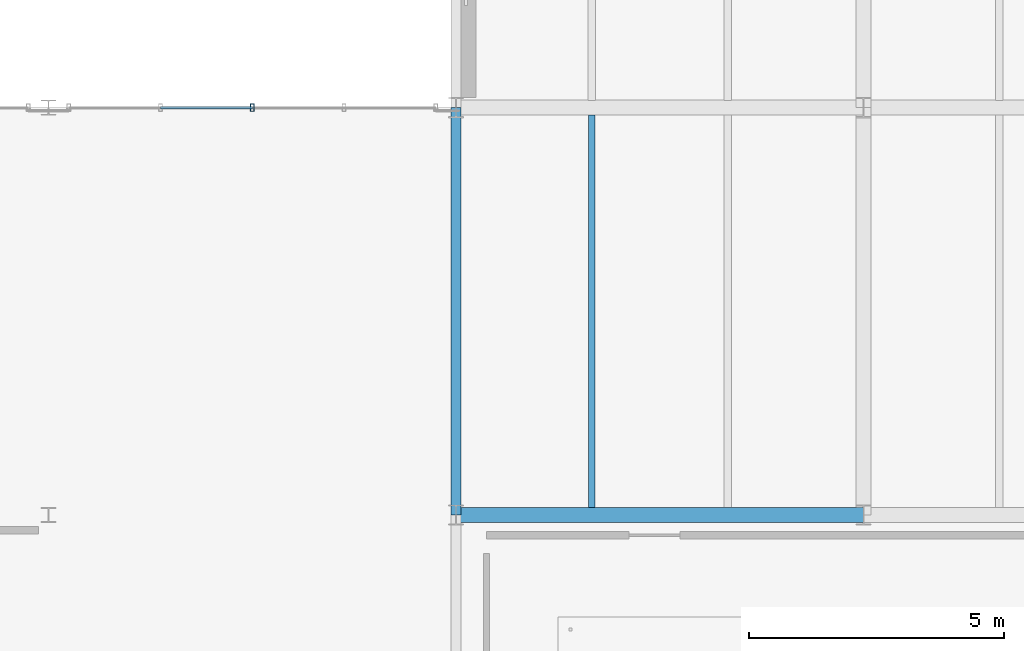
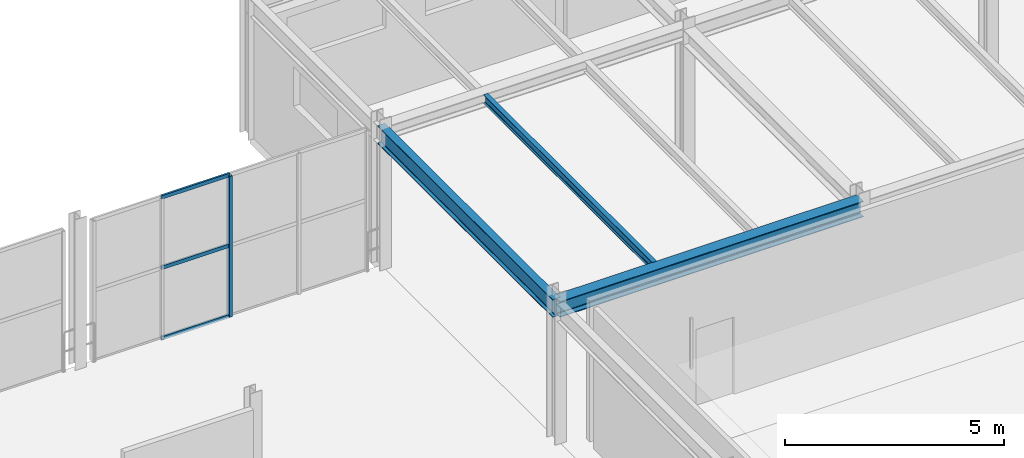
# One storey, part 22 of 67: 4 members, 3 beams, 1 element without a shape of its own.
"""IFC4 building model written with IfcOpenShell, lengths in metres."""

from ifc_helpers import new_model, si_unit, direction, frame, origin, origin_2d, place, context, subcontext, project, spatial, hollow_rectangle, i_section, extrude, material, material_profile, profile_set, type_object, element, aggregate, save


model = new_model("IFC4")

# Units and contexts
model_context = context("Model", 3, precision=1e-05, world=origin(), true_north=direction((0.0, 1.0)))
body_context = subcontext(model_context, "Body", "Model", "MODEL_VIEW")
ifc_project = project(units=[si_unit("LENGTHUNIT", "METRE"), si_unit("AREAUNIT", "SQUARE_METRE"), si_unit("VOLUMEUNIT", "CUBIC_METRE"), si_unit("PLANEANGLEUNIT", "RADIAN"), si_unit("MASSUNIT", "GRAM", prefix="KILO")], contexts=[model_context])

# Site, building, storey
site_placement = place(None, origin())
site = spatial("IfcSite", under=ifc_project, at=site_placement, CompositionType="ELEMENT")
building_placement = place(site_placement, origin())
building = spatial("IfcBuilding", under=site, at=building_placement, Name="Sundkrona Museum", CompositionType="ELEMENT")
storey_placement = place(building_placement, frame((0.0, 0.0, 21.800048828125)))
storey = spatial("IfcBuildingStorey", under=building, at=storey_placement, Name="L04", CompositionType="ELEMENT", Elevation=21.800048828125)

# Beams
ifc_material_1 = material(Name="Steel S355J2", Category="steel")
ifc_material_profile_1 = material_profile(ifc_material_1, i_section(OverallWidth=0.300048828125, OverallDepth=0.43994140625, WebThickness=0.011474609375, FlangeThickness=0.02099609375, FilletRadius=0.027099609375, at=origin_2d()), Name="HEA 450")
ifc_profile_set_1 = profile_set([ifc_material_profile_1], Name="Steel S355J2")
beam_type_1 = type_object("IfcBeamType", Name="B-HEA450", PredefinedType="BEAM", material=ifc_profile_set_1)
beam_1_placement = place(storey_placement, frame((120.0, 32.0, 3.699951171875), z_axis=(1.0, 0.0, 0.0), x_axis=(0.0, 1.0, 0.0)))
element("IfcBeam", 1, at=beam_1_placement, inside=storey, type_object=beam_type_1, Name="L04 Girder X-1722", PredefinedType="BEAM", context=body_context, shape_type="SweptSolid", body=[
    extrude(i_section(OverallWidth=0.300048828125, OverallDepth=0.43994140625, WebThickness=0.011474609375, FlangeThickness=0.02099609375, FilletRadius=0.027099609375, at=origin_2d()), origin(), (0.0, 0.0, 1.0), 8.0),
])
ifc_material_profile_2 = material_profile(ifc_material_1, i_section(OverallWidth=0.1201171875, OverallDepth=0.239990234375, WebThickness=0.006103515625, FlangeThickness=0.009765625, FilletRadius=0.014892578125, at=origin_2d()), Name="IPE 240")
ifc_profile_set_2 = profile_set([ifc_material_profile_2], Name="Steel S355J2")
beam_type_2 = type_object("IfcBeamType", Name="J-IPE240", PredefinedType="JOIST", material=ifc_profile_set_2)
beam_2_placement = place(storey_placement, frame((122.666748046875, 32.14404296875, 3.800048828125), z_axis=(0.0, 1.0, 0.0), x_axis=(-1.0, 0.0, 0.0)))
element("IfcBeam", 2, at=beam_2_placement, inside=storey, type_object=beam_type_2, Name="L04 Composite Joist 1185", PredefinedType="JOIST", context=body_context, shape_type="SweptSolid", body=[
    extrude(i_section(OverallWidth=0.1201171875, OverallDepth=0.239990234375, WebThickness=0.006103515625, FlangeThickness=0.009765625, FilletRadius=0.014892578125, at=origin_2d()), origin(), (0.0, 0.0, 1.0), 7.7119140625),
])

# Curtain wall, member
ifc_material_2 = material(Name="Unitised Aluminium-Steel and Ceramic-Clad Curtain Walling", Category="steel")
curtain_wall_type = type_object("IfcCurtainWallType", Name="CW-AT-72x38", PredefinedType="NOTDEFINED", material=ifc_material_2)
curtain_wall_placement = place(storey_placement, origin())
curtain_wall = element("IfcCurtainWall", 3, at=curtain_wall_placement, inside=storey, type_object=curtain_wall_type, Name="L04 Curtain Wall CW-L04-091", PredefinedType="NOTDEFINED")
ifc_material_3 = material(Name="Aluminium EN AW-6060 T66", Category="aluminium")
ifc_material_profile_3 = material_profile(ifc_material_3, hollow_rectangle(XDim=0.074951171875, YDim=0.14990234375, WallThickness=0.00634765625, at=origin_2d()), Name="RHS 150x75x6.3")
ifc_profile_set_3 = profile_set([ifc_material_profile_3], Name="Aluminium EN AW-6060 T66")
member_type_1 = type_object("IfcMemberType", Name="ML-150", PredefinedType="MULLION", material=ifc_profile_set_3)
member_1_placement = place(storey_placement, frame((116.0, 40.0, -0.004150390625), z_axis=(0.0, 0.0, 1.0), x_axis=(1.0, 0.0, 0.0)))
member_1 = element("IfcMember", 4, at=member_1_placement, type_object=member_type_1, Name="CW-L04-091 Mullion 03", PredefinedType="MULLION", context=body_context, shape_type="SweptSolid", body=[
    extrude(hollow_rectangle(XDim=0.074951171875, YDim=0.14990234375, WallThickness=0.00634765625, at=origin_2d()), origin(), (0.0, 0.0, 1.0), 3.92822265625),
])

# Beam
ifc_material_profile_4 = material_profile(ifc_material_1, i_section(OverallWidth=0.199951171875, OverallDepth=0.5, WebThickness=0.01025390625, FlangeThickness=0.01611328125, FilletRadius=0.02099609375, at=origin_2d()), Name="IPE 500")
ifc_profile_set_4 = profile_set([ifc_material_profile_4], Name="Steel S355J2")
beam_type_3 = type_object("IfcBeamType", Name="SP-IPE500", PredefinedType="SPANDREL", material=ifc_profile_set_4)
beam_3_placement = place(storey_placement, frame((120.0, 32.0, 3.669921875), z_axis=(0.0, 1.0, 0.0), x_axis=(-1.0, 0.0, 0.0)))
element("IfcBeam", 5, at=beam_3_placement, inside=storey, type_object=beam_type_3, Name="L04 Girder Y-1742", PredefinedType="SPANDREL", context=body_context, shape_type="SweptSolid", body=[
    extrude(i_section(OverallWidth=0.199951171875, OverallDepth=0.5, WebThickness=0.01025390625, FlangeThickness=0.01611328125, FilletRadius=0.02099609375, at=origin_2d()), origin(), (0.0, 0.0, 1.0), 8.0),
])

# Member
ifc_material_profile_5 = material_profile(ifc_material_3, hollow_rectangle(XDim=0.050048828125, YDim=0.10009765625, WallThickness=0.0048828125, at=origin_2d()), Name="RHS 100x50x5.0")
ifc_profile_set_5 = profile_set([ifc_material_profile_5], Name="Aluminium EN AW-6060 T66")
member_type_2 = type_object("IfcMemberType", Name="TR-100", PredefinedType="USERDEFINED", material=ifc_profile_set_5)
member_2_placement = place(storey_placement, frame((114.199951171875, 40.0, -0.004150390625), z_axis=(1.0, 0.0, 0.0), x_axis=(0.0, 1.0, 0.0)))
member_2 = element("IfcMember", 6, at=member_2_placement, type_object=member_type_2, Name="CW-L04-091 Transom 04", ObjectType="TRANSOM", PredefinedType="USERDEFINED", context=body_context, shape_type="SweptSolid", body=[
    extrude(hollow_rectangle(XDim=0.050048828125, YDim=0.10009765625, WallThickness=0.0048828125, at=origin_2d()), origin(), (0.0, 0.0, 1.0), 1.800048828125),
])

member_3_placement = place(storey_placement, frame((114.199951171875, 40.0, 1.9599609375), z_axis=(1.0, 0.0, 0.0), x_axis=(0.0, 1.0, 0.0)))
member_3 = element("IfcMember", 7, at=member_3_placement, type_object=member_type_2, Name="CW-L04-091 Transom 05", ObjectType="TRANSOM", PredefinedType="USERDEFINED", context=body_context, shape_type="SweptSolid", body=[
    extrude(hollow_rectangle(XDim=0.050048828125, YDim=0.10009765625, WallThickness=0.0048828125, at=origin_2d()), origin(), (0.0, 0.0, 1.0), 1.800048828125),
])

member_4_placement = place(storey_placement, frame((114.199951171875, 40.0, 3.924072265625), z_axis=(1.0, 0.0, 0.0), x_axis=(0.0, 1.0, 0.0)))
member_4 = element("IfcMember", 8, at=member_4_placement, type_object=member_type_2, Name="CW-L04-091 Transom 06", ObjectType="TRANSOM", PredefinedType="USERDEFINED", context=body_context, shape_type="SweptSolid", body=[
    extrude(hollow_rectangle(XDim=0.050048828125, YDim=0.10009765625, WallThickness=0.0048828125, at=origin_2d()), origin(), (0.0, 0.0, 1.0), 1.800048828125),
])

aggregate(curtain_wall, [member_1, member_2, member_3, member_4])

save(model, "model.ifc")
